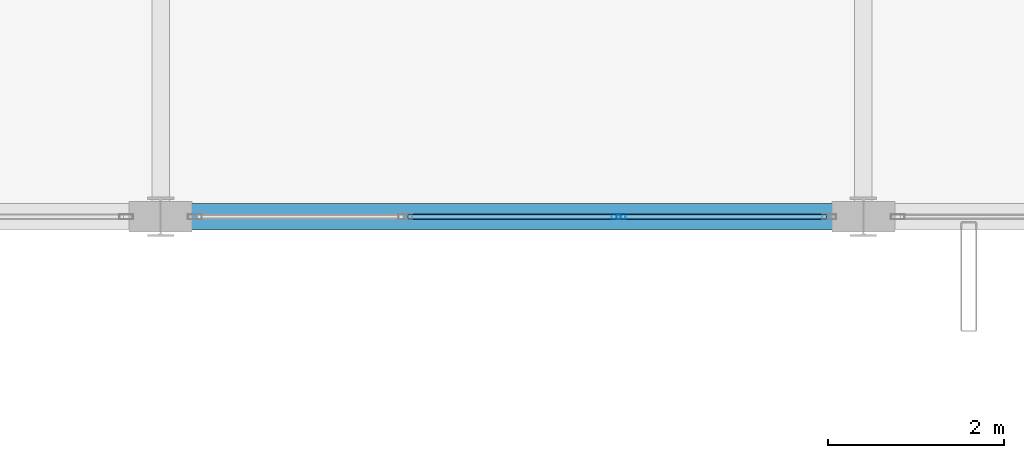
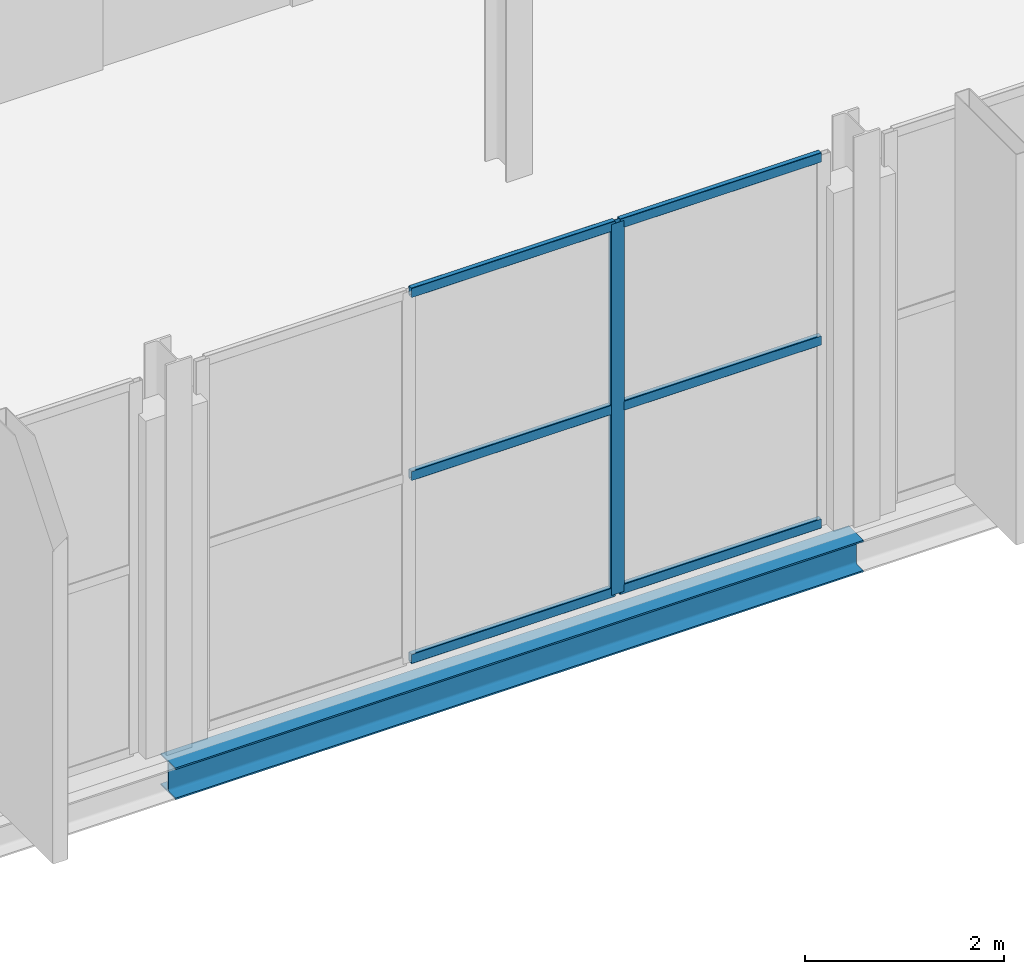
# One storey, part 25 of 120: 7 members, 1 beam, 1 element without a shape of its own.
"""IFC4 building model written with IfcOpenShell, lengths in metres."""

from ifc_helpers import new_model, si_unit, direction, frame, origin, origin_2d, place, context, subcontext, project, spatial, hollow_rectangle, i_section, extrude, material, layer, layer_set, material_profile, profile_set, type_object, element, aggregate, save


model = new_model("IFC4")

# Units and contexts
model_context = context("Model", 3, precision=1e-05, world=origin(), true_north=direction((0.0, 1.0)))
body_context = subcontext(model_context, "Body", "Model", "MODEL_VIEW")
ifc_project = project(units=[si_unit("LENGTHUNIT", "METRE"), si_unit("AREAUNIT", "SQUARE_METRE"), si_unit("VOLUMEUNIT", "CUBIC_METRE"), si_unit("PLANEANGLEUNIT", "RADIAN"), si_unit("MASSUNIT", "GRAM", prefix="KILO")], contexts=[model_context])

# Site, building, storey
site_placement = place(None, origin())
site = spatial("IfcSite", under=ifc_project, at=site_placement, CompositionType="ELEMENT")
building_placement = place(site_placement, origin())
building = spatial("IfcBuilding", under=site, at=building_placement, Name="Vekula Escarpment Museum", CompositionType="ELEMENT")
storey_placement = place(building_placement, frame((0.0, 0.0, 13.199951171875)))
storey = spatial("IfcBuildingStorey", under=building, at=storey_placement, Name="L03", CompositionType="ELEMENT", Elevation=13.199951171875)

# Beam
ifc_material_1 = material(Name="Steel S355", Category="steel")
ifc_material_profile_1 = material_profile(ifc_material_1, i_section(OverallWidth=0.300048828125, OverallDepth=0.389892578125, WebThickness=0.010986328125, FlangeThickness=0.01904296875, FilletRadius=0.027099609375, at=origin_2d()), Name="HEA 400")
ifc_profile_set_1 = profile_set([ifc_material_profile_1], Name="Steel S355")
beam_type = type_object("IfcBeamType", Name="BM-SPAN-HEA400", PredefinedType="SPANDREL", material=ifc_profile_set_1)
beam_placement = place(storey_placement, frame((94.0, 45.60009765625, -0.445068359375), z_axis=(1.0, 0.0, 0.0), x_axis=(0.0, 1.0, 0.0)))
element("IfcBeam", 1, at=beam_placement, inside=storey, type_object=beam_type, Name="Beam X L03 1318", PredefinedType="SPANDREL", context=body_context, shape_type="SweptSolid", body=[
    extrude(i_section(OverallWidth=0.300048828125, OverallDepth=0.389892578125, WebThickness=0.010986328125, FlangeThickness=0.01904296875, FilletRadius=0.027099609375, at=origin_2d()), origin(), (0.0, 0.0, 1.0), 8.0),
])

# Curtain wall, members
ifc_material_2 = material(Name="Aluminium thermally broken framing", Category="aluminium")
ifc_layer = layer(ifc_material_2, 0.199951171875)
ifc_layer_set = layer_set([ifc_layer], Name="Aluminium thermally broken framing")
curtain_wall_type = type_object("IfcCurtainWallType", Name="CW-SYS-04", PredefinedType="NOTDEFINED", material=ifc_layer_set)
curtain_wall_placement = place(storey_placement, origin())
curtain_wall = element("IfcCurtainWall", 2, at=curtain_wall_placement, inside=storey, type_object=curtain_wall_type, Name="Curtain Wall CW-L03-104", PredefinedType="NOTDEFINED")
ifc_material_3 = material(Name="Aluminium anodized mullion", Category="aluminium")
ifc_material_profile_2 = material_profile(ifc_material_3, hollow_rectangle(XDim=0.06005859375, YDim=0.159912109375, WallThickness=0.00390625, InnerFilletRadius=0.00390625, OuterFilletRadius=0.008056640625, at=origin_2d()), Name="ALU 160x60x4")
ifc_profile_set_2 = profile_set([ifc_material_profile_2], Name="Aluminium anodized mullion")
member_type_1 = type_object("IfcMemberType", Name="CW-MUL-160", PredefinedType="MULLION", material=ifc_profile_set_2)
member_1_placement = place(storey_placement, frame((99.21337890625, 45.60009765625, 0.0), z_axis=(0.0, 0.0, 1.0), x_axis=(0.0, 1.0, 0.0)))
member_1 = element("IfcMember", 3, at=member_1_placement, type_object=member_type_1, Name="CW-04 mullion 3", PredefinedType="MULLION", context=body_context, shape_type="SweptSolid", body=[
    extrude(hollow_rectangle(XDim=0.06005859375, YDim=0.159912109375, WallThickness=0.00390625, InnerFilletRadius=0.00390625, OuterFilletRadius=0.008056640625, at=origin_2d()), origin(), (0.0, 0.0, 1.0), 4.56005859375),
])
ifc_material_4 = material(Name="Aluminium anodized transom", Category="aluminium")
ifc_material_profile_3 = material_profile(ifc_material_4, hollow_rectangle(XDim=0.06005859375, YDim=0.1201171875, WallThickness=0.00390625, InnerFilletRadius=0.00390625, OuterFilletRadius=0.008056640625, at=origin_2d()), Name="ALU 120x60x4")
ifc_profile_set_3 = profile_set([ifc_material_profile_3], Name="Aluminium anodized transom")
member_type_2 = type_object("IfcMemberType", Name="CW-TRN-120", PredefinedType="USERDEFINED", material=ifc_profile_set_3)
member_2_placement = place(storey_placement, frame((96.816650390625, 45.60009765625, 0.030029296875), z_axis=(1.0, 0.0, 0.0), x_axis=(0.0, 1.0, 0.0)))
member_2 = element("IfcMember", 4, at=member_2_placement, type_object=member_type_2, Name="CW-04 transom 2.1", ObjectType="TRANSOM", PredefinedType="USERDEFINED", context=body_context, shape_type="SweptSolid", body=[
    extrude(hollow_rectangle(XDim=0.06005859375, YDim=0.1201171875, WallThickness=0.00390625, InnerFilletRadius=0.00390625, OuterFilletRadius=0.008056640625, at=origin_2d()), origin(), (0.0, 0.0, 1.0), 2.36669921875),
])
member_3_placement = place(storey_placement, frame((96.816650390625, 45.60009765625, 2.280029296875), z_axis=(1.0, 0.0, 0.0), x_axis=(0.0, 1.0, 0.0)))
member_3 = element("IfcMember", 5, at=member_3_placement, type_object=member_type_2, Name="CW-04 transom 2.2", ObjectType="TRANSOM", PredefinedType="USERDEFINED", context=body_context, shape_type="SweptSolid", body=[
    extrude(hollow_rectangle(XDim=0.06005859375, YDim=0.1201171875, WallThickness=0.00390625, InnerFilletRadius=0.00390625, OuterFilletRadius=0.008056640625, at=origin_2d()), origin(), (0.0, 0.0, 1.0), 2.36669921875),
])
member_4_placement = place(storey_placement, frame((96.816650390625, 45.60009765625, 4.530029296875), z_axis=(1.0, 0.0, 0.0), x_axis=(0.0, 1.0, 0.0)))
member_4 = element("IfcMember", 6, at=member_4_placement, type_object=member_type_2, Name="CW-04 transom 2.3", ObjectType="TRANSOM", PredefinedType="USERDEFINED", context=body_context, shape_type="SweptSolid", body=[
    extrude(hollow_rectangle(XDim=0.06005859375, YDim=0.1201171875, WallThickness=0.00390625, InnerFilletRadius=0.00390625, OuterFilletRadius=0.008056640625, at=origin_2d()), origin(), (0.0, 0.0, 1.0), 2.36669921875),
])
member_5_placement = place(storey_placement, frame((99.243408203125, 45.60009765625, 0.030029296875), z_axis=(1.0, 0.0, 0.0), x_axis=(0.0, 1.0, 0.0)))
member_5 = element("IfcMember", 7, at=member_5_placement, type_object=member_type_2, Name="CW-04 transom 3.1", ObjectType="TRANSOM", PredefinedType="USERDEFINED", context=body_context, shape_type="SweptSolid", body=[
    extrude(hollow_rectangle(XDim=0.06005859375, YDim=0.1201171875, WallThickness=0.00390625, InnerFilletRadius=0.00390625, OuterFilletRadius=0.008056640625, at=origin_2d()), origin(), (0.0, 0.0, 1.0), 2.336669921875),
])
member_6_placement = place(storey_placement, frame((99.243408203125, 45.60009765625, 2.280029296875), z_axis=(1.0, 0.0, 0.0), x_axis=(0.0, 1.0, 0.0)))
member_6 = element("IfcMember", 8, at=member_6_placement, type_object=member_type_2, Name="CW-04 transom 3.2", ObjectType="TRANSOM", PredefinedType="USERDEFINED", context=body_context, shape_type="SweptSolid", body=[
    extrude(hollow_rectangle(XDim=0.06005859375, YDim=0.1201171875, WallThickness=0.00390625, InnerFilletRadius=0.00390625, OuterFilletRadius=0.008056640625, at=origin_2d()), origin(), (0.0, 0.0, 1.0), 2.336669921875),
])
member_7_placement = place(storey_placement, frame((99.243408203125, 45.60009765625, 4.530029296875), z_axis=(1.0, 0.0, 0.0), x_axis=(0.0, 1.0, 0.0)))
member_7 = element("IfcMember", 9, at=member_7_placement, type_object=member_type_2, Name="CW-04 transom 3.3", ObjectType="TRANSOM", PredefinedType="USERDEFINED", context=body_context, shape_type="SweptSolid", body=[
    extrude(hollow_rectangle(XDim=0.06005859375, YDim=0.1201171875, WallThickness=0.00390625, InnerFilletRadius=0.00390625, OuterFilletRadius=0.008056640625, at=origin_2d()), origin(), (0.0, 0.0, 1.0), 2.336669921875),
])
aggregate(curtain_wall, [member_1, member_2, member_3, member_4, member_5, member_6, member_7])

save(model, "model.ifc")
